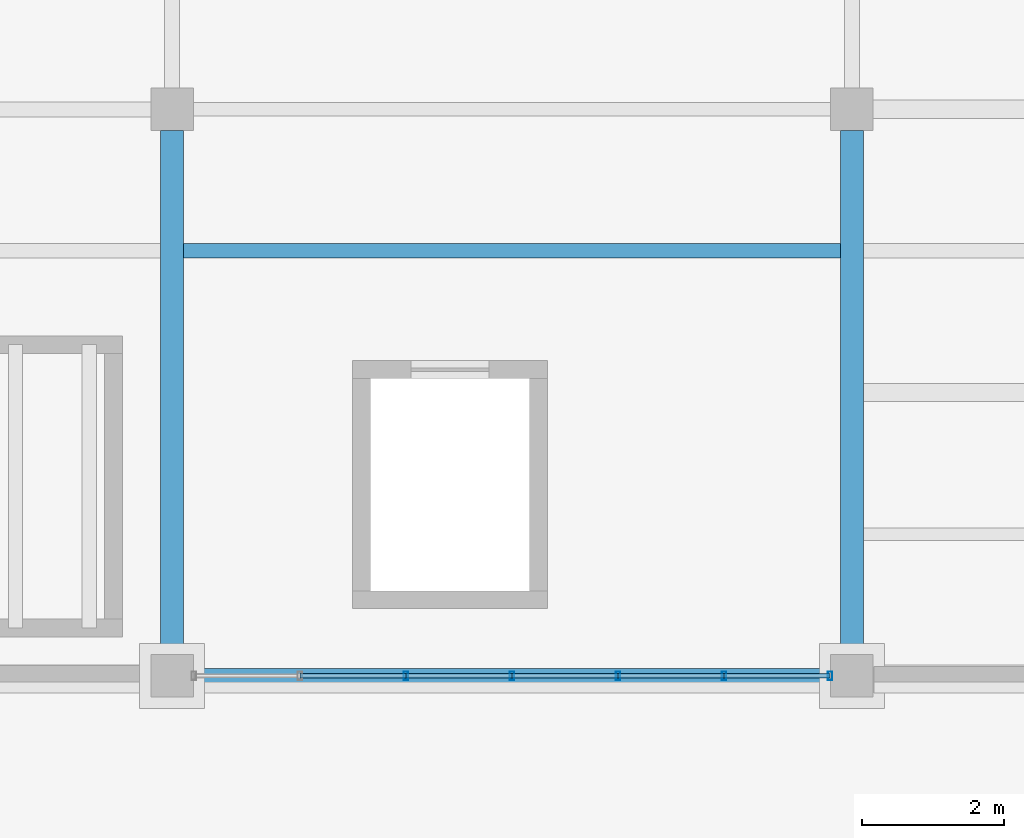
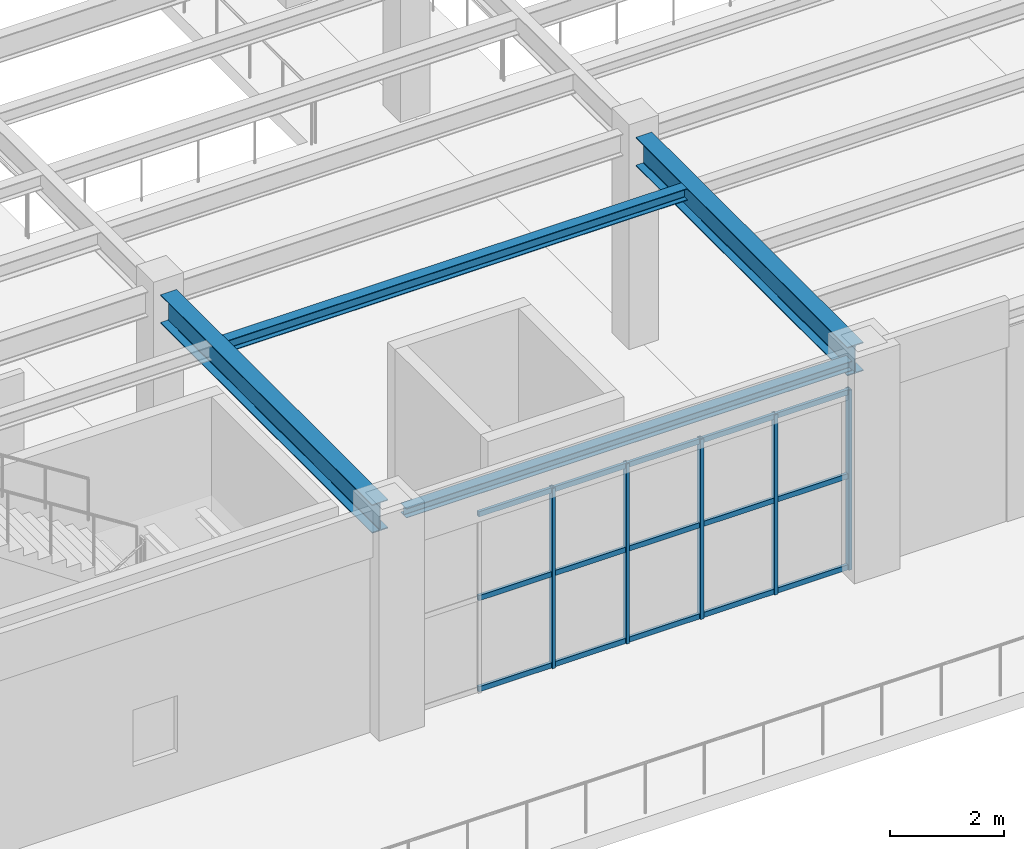
# One storey, part 17 of 83: 20 members, 4 beams, 1 element without a shape of its own.
"""IFC4 building model written with IfcOpenShell, lengths in metres."""

from ifc_helpers import new_model, si_unit, direction, frame, origin, origin_2d, place, context, subcontext, project, spatial, hollow_rectangle, i_section, extrude, material, material_profile, profile_set, type_object, element, aggregate, save


model = new_model("IFC4")

# Units and contexts
model_context = context("Model", 3, precision=1e-05, world=origin(), true_north=direction((0.0, 1.0)))
body_context = subcontext(model_context, "Body", "Model", "MODEL_VIEW")
ifc_project = project(units=[si_unit("LENGTHUNIT", "METRE"), si_unit("AREAUNIT", "SQUARE_METRE"), si_unit("VOLUMEUNIT", "CUBIC_METRE"), si_unit("PLANEANGLEUNIT", "RADIAN"), si_unit("MASSUNIT", "GRAM", prefix="KILO")], contexts=[model_context])

# Site, building, storey
site_placement = place(None, origin())
site = spatial("IfcSite", under=ifc_project, at=site_placement, CompositionType="ELEMENT")
building_placement = place(site_placement, origin())
building = spatial("IfcBuilding", under=site, at=building_placement, Name="Mavantir Sound Aquarium", CompositionType="ELEMENT")
storey_placement = place(building_placement, frame((0.0, 0.0, 10.5)))
storey = spatial("IfcBuildingStorey", under=building, at=storey_placement, Name="L02", CompositionType="ELEMENT", Elevation=10.5)

# Beams
ifc_material_1 = material(Name="Structural Steel ASTM A992 Gr50", Category="steel")
ifc_material_profile_1 = material_profile(ifc_material_1, i_section(OverallWidth=0.202880859375, OverallDepth=0.202880859375, WebThickness=0.007080078125, FlangeThickness=0.010986328125, FilletRadius=0.010009765625, at=origin_2d()), Name="W200X46")
ifc_profile_set_1 = profile_set([ifc_material_profile_1], Name="Structural Steel ASTM A992 Gr50")
beam_type_1 = type_object("IfcBeamType", Name="BM-W200X46-E", PredefinedType="LINTEL", material=ifc_profile_set_1)
beam_1_placement = place(storey_placement, frame((117.89990234375, 40.800048828125, 4.384521484375), z_axis=(1.0, 0.0, 0.0), x_axis=(0.0, 1.0, 0.0)))
element("IfcBeam", 1, at=beam_1_placement, inside=storey, type_object=beam_type_1, Name="L02 primary beam SL-20 1516", PredefinedType="LINTEL", context=body_context, shape_type="SweptSolid", body=[
    extrude(i_section(OverallWidth=0.202880859375, OverallDepth=0.202880859375, WebThickness=0.007080078125, FlangeThickness=0.010986328125, FilletRadius=0.010009765625, at=origin_2d()), origin(), (0.0, 0.0, 1.0), 9.0),
])
ifc_material_profile_2 = material_profile(ifc_material_1, i_section(OverallWidth=0.202880859375, OverallDepth=0.251953125, WebThickness=0.008056640625, FlangeThickness=0.013427734375, FilletRadius=0.011962890625, at=origin_2d()), Name="W250X58")
ifc_profile_set_2 = profile_set([ifc_material_profile_2], Name="Structural Steel ASTM A992 Gr50")
beam_type_2 = type_object("IfcBeamType", Name="BM-W250X58-I", PredefinedType="JOIST", material=ifc_profile_set_2)
beam_2_placement = place(storey_placement, frame((117.761962890625, 46.800048828125, 4.360107421875), z_axis=(1.0, 0.0, 0.0), x_axis=(0.0, 1.0, 0.0)))
element("IfcBeam", 2, at=beam_2_placement, inside=storey, type_object=beam_type_2, Name="L02 secondary floor joist SJ-25 892", PredefinedType="JOIST", context=body_context, shape_type="SweptSolid", body=[
    extrude(i_section(OverallWidth=0.202880859375, OverallDepth=0.251953125, WebThickness=0.008056640625, FlangeThickness=0.013427734375, FilletRadius=0.011962890625, at=origin_2d()), origin(), (0.0, 0.0, 1.0), 9.276123046875),
])
ifc_material_profile_3 = material_profile(ifc_material_1, i_section(OverallWidth=0.323974609375, OverallDepth=0.611083984375, WebThickness=0.0126953125, FlangeThickness=0.01904296875, FilletRadius=0.01904296875, at=origin_2d()), Name="W610X155")
ifc_profile_set_3 = profile_set([ifc_material_profile_3], Name="Structural Steel ASTM A992 Gr50")
beam_type_3 = type_object("IfcBeamType", Name="BM-W610X155-I", PredefinedType="BEAM", material=ifc_profile_set_3)
for number, where, z_axis, x_axis, name in (
    (3, (117.60009765625, 41.10009765625, 4.180419921875), (0.0, 1.0, 0.0), (-1.0, 0.0, 0.0), "L02 primary girder SB-61A 1561"),
    (4, (127.199951171875, 41.10009765625, 4.180419921875), (0.0, 1.0, 0.0), (-1.0, 0.0, 0.0), "L02 primary girder SB-61A 1570"),
):
    element("IfcBeam", number, at=place(storey_placement, frame(where, z_axis=z_axis, x_axis=x_axis)), inside=storey, type_object=beam_type_3, Name=name, PredefinedType="BEAM", context=body_context, shape_type="SweptSolid", body=[
        extrude(i_section(OverallWidth=0.323974609375, OverallDepth=0.611083984375, WebThickness=0.0126953125, FlangeThickness=0.01904296875, FilletRadius=0.01904296875, at=origin_2d()), origin(), (0.0, 0.0, 1.0), 7.39990234375),
    ])

# Curtain wall, members
ifc_material_2 = material(Name="Anodised Marine Aluminium and Low-E Glass", Category="aluminium")
curtain_wall_type = type_object("IfcCurtainWallType", Name="CW-T14", PredefinedType="USERDEFINED", material=ifc_material_2)
curtain_wall_placement = place(storey_placement, origin())
curtain_wall = element("IfcCurtainWall", 5, at=curtain_wall_placement, inside=storey, type_object=curtain_wall_type, Name="L02 unitised curtain wall CW-14 134", ObjectType="UNITISED GLAZING", PredefinedType="USERDEFINED")
ifc_material_3 = material(Name="Anodised Marine Aluminium 6063-T6", Category="aluminium")
ifc_material_profile_4 = material_profile(ifc_material_3, hollow_rectangle(XDim=0.06494140625, YDim=0.1201171875, WallThickness=0.00390625, at=origin_2d()), Name="ALU-MULLION-120X65")
ifc_profile_set_4 = profile_set([ifc_material_profile_4], Name="Anodised Marine Aluminium 6063-T6")
member_type_1 = type_object("IfcMemberType", Name="CW-MUL-120", PredefinedType="MULLION", material=ifc_profile_set_4)
member_1_placement = place(storey_placement, frame((120.902587890625, 40.800048828125, 0.0), z_axis=(0.0, 0.0, 1.0), x_axis=(1.0, 0.0, 0.0)))
member_1 = element("IfcMember", 6, at=member_1_placement, type_object=member_type_1, Name="CW-L02-134 vertical mullion 3", PredefinedType="MULLION", context=body_context, shape_type="SweptSolid", body=[
    extrude(hollow_rectangle(XDim=0.06494140625, YDim=0.1201171875, WallThickness=0.00390625, at=origin_2d()), origin(), (0.0, 0.0, 1.0), 3.844970703125),
])
member_2_placement = place(storey_placement, frame((122.39990234375, 40.800048828125, 0.0), z_axis=(0.0, 0.0, 1.0), x_axis=(1.0, 0.0, 0.0)))
member_2 = element("IfcMember", 7, at=member_2_placement, type_object=member_type_1, Name="CW-L02-134 vertical mullion 4", PredefinedType="MULLION", context=body_context, shape_type="SweptSolid", body=[
    extrude(hollow_rectangle(XDim=0.06494140625, YDim=0.1201171875, WallThickness=0.00390625, at=origin_2d()), origin(), (0.0, 0.0, 1.0), 3.844970703125),
])
member_3_placement = place(storey_placement, frame((123.897216796875, 40.800048828125, 0.0), z_axis=(0.0, 0.0, 1.0), x_axis=(1.0, 0.0, 0.0)))
member_3 = element("IfcMember", 8, at=member_3_placement, type_object=member_type_1, Name="CW-L02-134 vertical mullion 5", PredefinedType="MULLION", context=body_context, shape_type="SweptSolid", body=[
    extrude(hollow_rectangle(XDim=0.06494140625, YDim=0.1201171875, WallThickness=0.00390625, at=origin_2d()), origin(), (0.0, 0.0, 1.0), 3.844970703125),
])
member_4_placement = place(storey_placement, frame((125.394775390625, 40.800048828125, 0.0), z_axis=(0.0, 0.0, 1.0), x_axis=(1.0, 0.0, 0.0)))
member_4 = element("IfcMember", 9, at=member_4_placement, type_object=member_type_1, Name="CW-L02-134 vertical mullion 6", PredefinedType="MULLION", context=body_context, shape_type="SweptSolid", body=[
    extrude(hollow_rectangle(XDim=0.06494140625, YDim=0.1201171875, WallThickness=0.00390625, at=origin_2d()), origin(), (0.0, 0.0, 1.0), 3.844970703125),
])
member_5_placement = place(storey_placement, frame((126.89208984375, 40.800048828125, 0.0), z_axis=(0.0, 0.0, 1.0), x_axis=(1.0, 0.0, 0.0)))
member_5 = element("IfcMember", 10, at=member_5_placement, type_object=member_type_1, Name="CW-L02-134 vertical mullion 7", PredefinedType="MULLION", context=body_context, shape_type="SweptSolid", body=[
    extrude(hollow_rectangle(XDim=0.06494140625, YDim=0.1201171875, WallThickness=0.00390625, at=origin_2d()), origin(), (0.0, 0.0, 1.0), 3.844970703125),
])
ifc_material_profile_5 = material_profile(ifc_material_3, hollow_rectangle(XDim=0.06005859375, YDim=0.110107421875, WallThickness=0.00390625, at=origin_2d()), Name="ALU-TRANSOM-110X60")
ifc_profile_set_5 = profile_set([ifc_material_profile_5], Name="Anodised Marine Aluminium 6063-T6")
member_type_2 = type_object("IfcMemberType", Name="CW-TRN-110", PredefinedType="USERDEFINED", material=ifc_profile_set_5)
member_6_placement = place(storey_placement, frame((119.4052734375, 40.800048828125, 0.054931640625), z_axis=(1.0, 0.0, 0.0), x_axis=(0.0, 1.0, 0.0)))
member_6 = element("IfcMember", 11, at=member_6_placement, type_object=member_type_2, Name="CW-L02-134 transom 2.1", ObjectType="TRANSOM", PredefinedType="USERDEFINED", context=body_context, shape_type="SweptSolid", body=[
    extrude(hollow_rectangle(XDim=0.06005859375, YDim=0.110107421875, WallThickness=0.00390625, at=origin_2d()), origin(), (0.0, 0.0, 1.0), 1.497314453125),
])
member_7_placement = place(storey_placement, frame((119.4052734375, 40.800048828125, 1.99951171875), z_axis=(1.0, 0.0, 0.0), x_axis=(0.0, 1.0, 0.0)))
member_7 = element("IfcMember", 12, at=member_7_placement, type_object=member_type_2, Name="CW-L02-134 transom 2.2", ObjectType="TRANSOM", PredefinedType="USERDEFINED", context=body_context, shape_type="SweptSolid", body=[
    extrude(hollow_rectangle(XDim=0.06005859375, YDim=0.110107421875, WallThickness=0.00390625, at=origin_2d()), origin(), (0.0, 0.0, 1.0), 1.497314453125),
])
member_8_placement = place(storey_placement, frame((119.4052734375, 40.800048828125, 3.7900390625), z_axis=(1.0, 0.0, 0.0), x_axis=(0.0, 1.0, 0.0)))
member_8 = element("IfcMember", 13, at=member_8_placement, type_object=member_type_2, Name="CW-L02-134 transom 2.3", ObjectType="TRANSOM", PredefinedType="USERDEFINED", context=body_context, shape_type="SweptSolid", body=[
    extrude(hollow_rectangle(XDim=0.06005859375, YDim=0.110107421875, WallThickness=0.00390625, at=origin_2d()), origin(), (0.0, 0.0, 1.0), 1.497314453125),
])
member_9_placement = place(storey_placement, frame((120.902587890625, 40.800048828125, 0.054931640625), z_axis=(1.0, 0.0, 0.0), x_axis=(0.0, 1.0, 0.0)))
member_9 = element("IfcMember", 14, at=member_9_placement, type_object=member_type_2, Name="CW-L02-134 transom 3.1", ObjectType="TRANSOM", PredefinedType="USERDEFINED", context=body_context, shape_type="SweptSolid", body=[
    extrude(hollow_rectangle(XDim=0.06005859375, YDim=0.110107421875, WallThickness=0.00390625, at=origin_2d()), origin(), (0.0, 0.0, 1.0), 1.497314453125),
])
member_10_placement = place(storey_placement, frame((120.902587890625, 40.800048828125, 1.99951171875), z_axis=(1.0, 0.0, 0.0), x_axis=(0.0, 1.0, 0.0)))
member_10 = element("IfcMember", 15, at=member_10_placement, type_object=member_type_2, Name="CW-L02-134 transom 3.2", ObjectType="TRANSOM", PredefinedType="USERDEFINED", context=body_context, shape_type="SweptSolid", body=[
    extrude(hollow_rectangle(XDim=0.06005859375, YDim=0.110107421875, WallThickness=0.00390625, at=origin_2d()), origin(), (0.0, 0.0, 1.0), 1.497314453125),
])
member_11_placement = place(storey_placement, frame((120.902587890625, 40.800048828125, 3.7900390625), z_axis=(1.0, 0.0, 0.0), x_axis=(0.0, 1.0, 0.0)))
member_11 = element("IfcMember", 16, at=member_11_placement, type_object=member_type_2, Name="CW-L02-134 transom 3.3", ObjectType="TRANSOM", PredefinedType="USERDEFINED", context=body_context, shape_type="SweptSolid", body=[
    extrude(hollow_rectangle(XDim=0.06005859375, YDim=0.110107421875, WallThickness=0.00390625, at=origin_2d()), origin(), (0.0, 0.0, 1.0), 1.497314453125),
])
member_12_placement = place(storey_placement, frame((122.39990234375, 40.800048828125, 0.054931640625), z_axis=(1.0, 0.0, 0.0), x_axis=(0.0, 1.0, 0.0)))
member_12 = element("IfcMember", 17, at=member_12_placement, type_object=member_type_2, Name="CW-L02-134 transom 4.1", ObjectType="TRANSOM", PredefinedType="USERDEFINED", context=body_context, shape_type="SweptSolid", body=[
    extrude(hollow_rectangle(XDim=0.06005859375, YDim=0.110107421875, WallThickness=0.00390625, at=origin_2d()), origin(), (0.0, 0.0, 1.0), 1.497314453125),
])
member_13_placement = place(storey_placement, frame((122.39990234375, 40.800048828125, 1.99951171875), z_axis=(1.0, 0.0, 0.0), x_axis=(0.0, 1.0, 0.0)))
member_13 = element("IfcMember", 18, at=member_13_placement, type_object=member_type_2, Name="CW-L02-134 transom 4.2", ObjectType="TRANSOM", PredefinedType="USERDEFINED", context=body_context, shape_type="SweptSolid", body=[
    extrude(hollow_rectangle(XDim=0.06005859375, YDim=0.110107421875, WallThickness=0.00390625, at=origin_2d()), origin(), (0.0, 0.0, 1.0), 1.497314453125),
])
member_14_placement = place(storey_placement, frame((122.39990234375, 40.800048828125, 3.7900390625), z_axis=(1.0, 0.0, 0.0), x_axis=(0.0, 1.0, 0.0)))
member_14 = element("IfcMember", 19, at=member_14_placement, type_object=member_type_2, Name="CW-L02-134 transom 4.3", ObjectType="TRANSOM", PredefinedType="USERDEFINED", context=body_context, shape_type="SweptSolid", body=[
    extrude(hollow_rectangle(XDim=0.06005859375, YDim=0.110107421875, WallThickness=0.00390625, at=origin_2d()), origin(), (0.0, 0.0, 1.0), 1.497314453125),
])
member_15_placement = place(storey_placement, frame((123.897216796875, 40.800048828125, 0.054931640625), z_axis=(1.0, 0.0, 0.0), x_axis=(0.0, 1.0, 0.0)))
member_15 = element("IfcMember", 20, at=member_15_placement, type_object=member_type_2, Name="CW-L02-134 transom 5.1", ObjectType="TRANSOM", PredefinedType="USERDEFINED", context=body_context, shape_type="SweptSolid", body=[
    extrude(hollow_rectangle(XDim=0.06005859375, YDim=0.110107421875, WallThickness=0.00390625, at=origin_2d()), origin(), (0.0, 0.0, 1.0), 1.49755859375),
])
member_16_placement = place(storey_placement, frame((123.897216796875, 40.800048828125, 1.99951171875), z_axis=(1.0, 0.0, 0.0), x_axis=(0.0, 1.0, 0.0)))
member_16 = element("IfcMember", 21, at=member_16_placement, type_object=member_type_2, Name="CW-L02-134 transom 5.2", ObjectType="TRANSOM", PredefinedType="USERDEFINED", context=body_context, shape_type="SweptSolid", body=[
    extrude(hollow_rectangle(XDim=0.06005859375, YDim=0.110107421875, WallThickness=0.00390625, at=origin_2d()), origin(), (0.0, 0.0, 1.0), 1.49755859375),
])
member_17_placement = place(storey_placement, frame((123.897216796875, 40.800048828125, 3.7900390625), z_axis=(1.0, 0.0, 0.0), x_axis=(0.0, 1.0, 0.0)))
member_17 = element("IfcMember", 22, at=member_17_placement, type_object=member_type_2, Name="CW-L02-134 transom 5.3", ObjectType="TRANSOM", PredefinedType="USERDEFINED", context=body_context, shape_type="SweptSolid", body=[
    extrude(hollow_rectangle(XDim=0.06005859375, YDim=0.110107421875, WallThickness=0.00390625, at=origin_2d()), origin(), (0.0, 0.0, 1.0), 1.49755859375),
])
member_18_placement = place(storey_placement, frame((125.394775390625, 40.800048828125, 0.054931640625), z_axis=(1.0, 0.0, 0.0), x_axis=(0.0, 1.0, 0.0)))
member_18 = element("IfcMember", 23, at=member_18_placement, type_object=member_type_2, Name="CW-L02-134 transom 6.1", ObjectType="TRANSOM", PredefinedType="USERDEFINED", context=body_context, shape_type="SweptSolid", body=[
    extrude(hollow_rectangle(XDim=0.06005859375, YDim=0.110107421875, WallThickness=0.00390625, at=origin_2d()), origin(), (0.0, 0.0, 1.0), 1.497314453125),
])
member_19_placement = place(storey_placement, frame((125.394775390625, 40.800048828125, 1.99951171875), z_axis=(1.0, 0.0, 0.0), x_axis=(0.0, 1.0, 0.0)))
member_19 = element("IfcMember", 24, at=member_19_placement, type_object=member_type_2, Name="CW-L02-134 transom 6.2", ObjectType="TRANSOM", PredefinedType="USERDEFINED", context=body_context, shape_type="SweptSolid", body=[
    extrude(hollow_rectangle(XDim=0.06005859375, YDim=0.110107421875, WallThickness=0.00390625, at=origin_2d()), origin(), (0.0, 0.0, 1.0), 1.497314453125),
])
member_20_placement = place(storey_placement, frame((125.394775390625, 40.800048828125, 3.7900390625), z_axis=(1.0, 0.0, 0.0), x_axis=(0.0, 1.0, 0.0)))
member_20 = element("IfcMember", 25, at=member_20_placement, type_object=member_type_2, Name="CW-L02-134 transom 6.3", ObjectType="TRANSOM", PredefinedType="USERDEFINED", context=body_context, shape_type="SweptSolid", body=[
    extrude(hollow_rectangle(XDim=0.06005859375, YDim=0.110107421875, WallThickness=0.00390625, at=origin_2d()), origin(), (0.0, 0.0, 1.0), 1.497314453125),
])
aggregate(curtain_wall, [member_1, member_2, member_3, member_4, member_5, member_6, member_7, member_8, member_9, member_10, member_11, member_12, member_13, member_14, member_15, member_16, member_17, member_18, member_19, member_20])

save(model, "model.ifc")
